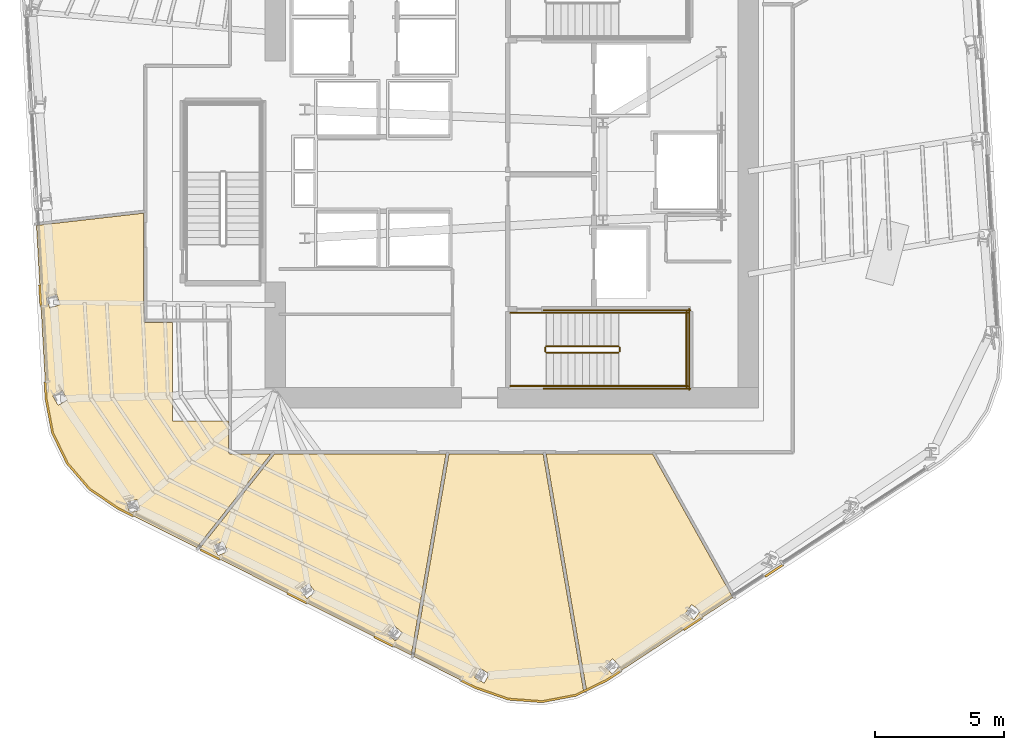
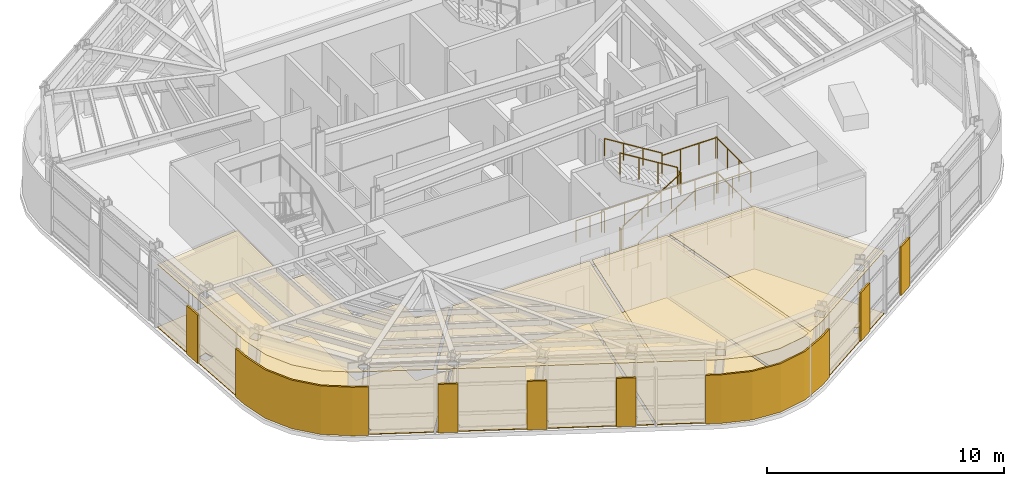
# One storey, part 10 of 15: 16 coverings, 14 railings.
"""IFC4 building model written with IfcOpenShell, lengths in metres."""

import ifcopenshell
import ifcopenshell.guid

model = None  # the IFC model being written
_history = None  # IfcOwnerHistory: only IFC2X3 demands one
_inside = {}  # id of a spatial element -> (the spatial element, [elements in it])
_under = {}  # id of a project, library or spatial element -> (it, [spatial elements below it])
_declared = {}  # id of a project -> (the project, [libraries it declares])
_typed = {}  # id of a type object -> (the type object, [elements of that type])
_made_of = {}  # id of a material, layer set ... -> (it, [elements and type objects made of it])


def new_model(schema):
    """Start an empty IFC model of exactly this schema.

    Asked for "IFC4X3", IfcOpenShell would pick the latest addendum, in which some entities
    have other attributes; the version numbers below select the first issue.
    IFC2X3 requires an IfcOwnerHistory on every rooted entity: one is made here for all.
    """
    global model, _history
    if schema == "IFC4X3":
        model = ifcopenshell.file(schema_version=(4, 3, 0, 0))
    else:
        model = ifcopenshell.file(schema=schema)
    _inside.clear()
    _under.clear()
    _declared.clear()
    _typed.clear()
    _made_of.clear()
    _history = None
    if model.schema == "IFC2X3":
        org = make("IfcOrganization", Name="unknown")
        user = make(
            "IfcPersonAndOrganization",
            ThePerson=make("IfcPerson", FamilyName="unknown"),
            TheOrganization=org,
        )
        app = make(
            "IfcApplication",
            ApplicationDeveloper=org,
            Version="unknown",
            ApplicationFullName="unknown",
            ApplicationIdentifier="unknown",
        )
        _history = make(
            "IfcOwnerHistory",
            OwningUser=user,
            OwningApplication=app,
            ChangeAction="ADDED",
            CreationDate=0,
        )
    return model


def make(cls, **values):
    """One entity of the class cls with the attributes given. An attribute that is None is left unset."""
    return model.create_entity(
        cls, **{name: value for name, value in values.items() if value is not None}
    )


def rooted(cls, **values):
    """An entity with a GlobalId (a new one), such as an element, a storey or a relation."""
    return make(cls, GlobalId=ifcopenshell.guid.new(), OwnerHistory=_history, **values)


def si_unit(unit_type, name, prefix=None):
    """IfcSIUnit, for example si_unit("LENGTHUNIT", "METRE", prefix="MILLI")."""
    return make("IfcSIUnit", UnitType=unit_type, Prefix=prefix, Name=name)


def assignment(units):
    """IfcUnitAssignment: the units of a project."""
    return None if units is None else make("IfcUnitAssignment", Units=units)


def point(xyz):
    """IfcCartesianPoint."""
    return None if xyz is None else make("IfcCartesianPoint", Coordinates=xyz)


def direction(xyz):
    """IfcDirection."""
    return None if xyz is None else make("IfcDirection", DirectionRatios=xyz)


def frame(location, z_axis=None, x_axis=None):
    """IfcAxis2Placement3D, a coordinate frame: its origin and axes. An axis left out is left unset."""
    return make(
        "IfcAxis2Placement3D",
        Location=point(location),
        Axis=direction(z_axis),
        RefDirection=direction(x_axis),
    )


def frame_2d(location, x_axis=None):
    """IfcAxis2Placement2D, a coordinate frame in the plane: its origin and x axis."""
    return make(
        "IfcAxis2Placement2D", Location=point(location), RefDirection=direction(x_axis)
    )


def origin():
    """The frame at (0, 0, 0) with its axes left unset."""
    return frame((0.0, 0.0, 0.0))


def origin_2d():
    """The frame at (0, 0) in the plane with its x axis left unset."""
    return frame_2d((0.0, 0.0))


def place(relative_to, where):
    """IfcLocalPlacement: puts the frame where relative to a parent placement (None: the world)."""
    return make(
        "IfcLocalPlacement", PlacementRelTo=relative_to, RelativePlacement=where
    )


def context(
    kind, dimensions, precision=None, world=None, true_north=None, identifier=None
):
    """IfcGeometricRepresentationContext, for example the 3D "Model" context."""
    return make(
        "IfcGeometricRepresentationContext",
        ContextIdentifier=identifier,
        ContextType=kind,
        CoordinateSpaceDimension=dimensions,
        Precision=precision,
        WorldCoordinateSystem=world,
        TrueNorth=true_north,
    )


def subcontext(parent, identifier, kind, view, scale=None):
    """IfcGeometricRepresentationSubContext, for example "Body" below "Model"."""
    return make(
        "IfcGeometricRepresentationSubContext",
        ContextIdentifier=identifier,
        ContextType=kind,
        ParentContext=parent,
        TargetScale=scale,
        TargetView=view,
    )


def project(units=None, contexts=None):
    """IfcProject with its units and contexts."""
    return rooted(
        "IfcProject",
        Name="project",
        RepresentationContexts=contexts,
        UnitsInContext=assignment(units),
    )


def spatial(cls, under=None, at=None, **own):
    """A site, building, storey or space (cls), placed at a placement, below another one or the project."""
    s = rooted(cls, ObjectPlacement=at, **own)
    if under is not None:
        _under.setdefault(under.id(), (under, []))[1].append(s)
    return s


def polyline(points):
    """IfcPolyline through the points."""
    return make("IfcPolyline", Points=[point(p) for p in points])


def profile(cls, at=None, kind="AREA", **sizes):
    """A parametric profile (cls). Its sizes go by their IFC names, for example OverallWidth=200.0."""
    return make(cls, ProfileType=kind, Position=at, **sizes)


def circle(**sizes):
    """IfcCircleProfileDef."""
    return profile("IfcCircleProfileDef", **sizes)


def outline(outer, holes=None, kind="AREA"):
    """IfcArbitraryClosedProfileDef: a profile drawn as a closed curve; with holes, ...WithVoids."""
    if holes is None:
        return make("IfcArbitraryClosedProfileDef", ProfileType=kind, OuterCurve=outer)
    return make(
        "IfcArbitraryProfileDefWithVoids",
        ProfileType=kind,
        OuterCurve=outer,
        InnerCurves=holes,
    )


def extrude(swept, where, along, depth):
    """IfcExtrudedAreaSolid: the profile swept, set in the frame where, extruded along a direction by depth."""
    return make(
        "IfcExtrudedAreaSolid",
        SweptArea=swept,
        Position=where,
        ExtrudedDirection=direction(along),
        Depth=depth,
    )


def shape(context_of_items, identifier, shape_type, items):
    """IfcShapeRepresentation: the items that make up one representation, for example the "Body"."""
    return make(
        "IfcShapeRepresentation",
        ContextOfItems=context_of_items,
        RepresentationIdentifier=identifier,
        RepresentationType=shape_type,
        Items=items,
    )


def material(Name=None, Category=None):
    """IfcMaterial."""
    return make("IfcMaterial", Name=Name, Category=Category)


def layer(
    of_material, thickness, ventilated=None, Name=None, Category=None, Priority=None
):
    """IfcMaterialLayer: one layer of a wall or slab, of a material (None: an air gap)."""
    return make(
        "IfcMaterialLayer",
        Material=of_material,
        LayerThickness=thickness,
        IsVentilated=ventilated,
        Name=Name,
        Category=Category,
        Priority=Priority,
    )


def layer_set(layers, Name=None):
    """IfcMaterialLayerSet."""
    return make("IfcMaterialLayerSet", MaterialLayers=layers, LayerSetName=Name)


def made_of(thing, what):
    """Note that an element or type object is made of a material, layer set ...; save() writes the relation."""
    if what is not None:
        _made_of.setdefault(what.id(), (what, []))[1].append(thing)
    return thing


def type_object(cls, material=None, **own):
    """A type object (cls), such as IfcWallType, which elements share."""
    return made_of(rooted(cls, **own), material)


def element(
    cls,
    number,
    at=None,
    inside=None,
    cuts=None,
    type_object=None,
    material=None,
    context=None,
    identifier="Body",
    shape_type=None,
    held_by="IfcProductDefinitionShape",
    body=None,
    shapes=None,
    **own,
):
    """One element of the class cls, such as IfcWall. Its Tag is "e" and its number.

    at: its placement. inside: the storey or other place that contains it. cuts: it is an
    opening in that element (IfcRelVoidsElement). A single representation is given by context,
    identifier, shape_type and body (its items); several are given by shapes. held_by: the class
    of the entity that holds the representations. save() writes the other relations.
    """
    e = rooted(cls, Tag="e%d" % number, ObjectPlacement=at, **own)
    if body is not None:
        shapes = [shape(context, identifier, shape_type, body)]
    if shapes is not None:
        e.Representation = make(held_by, Representations=shapes)
    if inside is not None:
        _inside.setdefault(inside.id(), (inside, []))[1].append(e)
    if cuts is not None:
        rooted(
            "IfcRelVoidsElement", RelatingBuildingElement=cuts, RelatedOpeningElement=e
        )
    if type_object is not None:
        _typed.setdefault(type_object.id(), (type_object, []))[1].append(e)
    return made_of(e, material)


def aggregate(whole, parts):
    """IfcRelAggregates: a whole, such as a stair, and the parts it consists of."""
    return rooted("IfcRelAggregates", RelatingObject=whole, RelatedObjects=parts)


def save(model, path):
    """Write the relations noted so far, then the file.

    IfcRelAggregates (storeys below a building ...), IfcRelContainedInSpatialStructure (elements
    in a storey), IfcRelDefinesByType, IfcRelAssociatesMaterial and IfcRelDeclares: one each for
    every whole, place, type object, material and project.
    """
    for whole, parts in _under.values():
        aggregate(whole, parts)
    for where, things in _inside.values():
        rooted(
            "IfcRelContainedInSpatialStructure",
            RelatedElements=things,
            RelatingStructure=where,
        )
    for kind, things in _typed.values():
        rooted("IfcRelDefinesByType", RelatedObjects=things, RelatingType=kind)
    for what, things in _made_of.values():
        rooted("IfcRelAssociatesMaterial", RelatedObjects=things, RelatingMaterial=what)
    for by, libraries in _declared.values():
        rooted("IfcRelDeclares", RelatingContext=by, RelatedDefinitions=libraries)
    model.write(path)


model = new_model("IFC4")

# Units and contexts
model_context = context("Model", 3, precision=1e-05, world=origin(), true_north=direction((0.0, 1.0)))
body_context = subcontext(model_context, "Body", "Model", "MODEL_VIEW")
ifc_project = project(units=[si_unit("LENGTHUNIT", "METRE"), si_unit("AREAUNIT", "SQUARE_METRE"), si_unit("VOLUMEUNIT", "CUBIC_METRE"), si_unit("PLANEANGLEUNIT", "RADIAN"), si_unit("MASSUNIT", "GRAM", prefix="KILO")], contexts=[model_context])

# Site, building, storey
site_placement = place(None, origin())
site = spatial("IfcSite", under=ifc_project, at=site_placement, CompositionType="ELEMENT")
building_placement = place(site_placement, origin())
building = spatial("IfcBuilding", under=site, at=building_placement, Name="Valkerne Bourse Tower", CompositionType="ELEMENT")
storey_placement = place(building_placement, frame((0.0, 0.0, 166.60009765625)))
storey = spatial("IfcBuildingStorey", under=building, at=storey_placement, Name="L42", CompositionType="ELEMENT", Elevation=166.60009765625)

# Coverings
ifc_material_1 = material(Name="Mineral Fiber Acoustic Ceiling Tile", Category="acoustic")
ifc_layer_1 = layer(ifc_material_1, 0.02490234375)
ifc_layer_set_1 = layer_set([ifc_layer_1], Name="Mineral Fiber Acoustic Ceiling Tile")
covering_type_1 = type_object("IfcCoveringType", Name="COV-CEIL-ACT", PredefinedType="CEILING", material=ifc_layer_set_1)
covering_1_placement = place(storey_placement, frame((0.0, 0.0, 3.22998046875)))
element("IfcCovering", 1, at=covering_1_placement, inside=storey, type_object=covering_type_1, Name="L42 Suspended Ceiling 04", PredefinedType="CEILING", context=body_context, shape_type="SweptSolid", body=[
    extrude(outline(polyline([(48.13818359375, 16.010986328125), (52.27392578125, 16.010986328125), (55.394287109375, 10.427734375), (50.481689453125, 7.209716796875), (49.706787109375, 6.835205078125), (48.13818359375, 16.010986328125)]), holes=[polyline([(51.013427734375, 7.747314453125), (50.7236328125, 8.04296875), (50.720947265625, 8.04248046875), (50.419189453125, 7.7451171875), (50.708740234375, 7.449462890625), (50.711669921875, 7.449951171875), (51.013427734375, 7.747314453125)]), polyline([(54.131591796875, 9.91552734375), (53.79150390625, 10.151611328125), (53.7890625, 10.150634765625), (53.54833984375, 9.802001953125), (53.888427734375, 9.56591796875), (53.890869140625, 9.56689453125), (54.131591796875, 9.91552734375)])]), origin(), (0.0, 0.0, 1.0), 0.02490234375),
])
covering_2_placement = place(storey_placement, frame((0.0, 0.0, 3.22998046875)))
element("IfcCovering", 2, at=covering_2_placement, inside=storey, type_object=covering_type_1, Name="L42 Suspended Ceiling 05", PredefinedType="CEILING", context=body_context, shape_type="SweptSolid", body=[
    extrude(outline(polyline([(44.241943359375, 16.010986328125), (42.89013671875, 8.184814453125), (34.654296875, 12.313720703125), (37.579833984375, 16.010986328125), (44.241943359375, 16.010986328125)]), holes=[polyline([(35.572998046875, 12.612060546875), (35.57080078125, 12.61376953125), (35.196533203125, 12.436279296875), (35.377197265625, 12.052978515625), (35.37939453125, 12.051513671875), (35.753662109375, 12.22900390625), (35.572998046875, 12.612060546875)]), polyline([(42.236083984375, 9.330078125), (42.2333984375, 9.330810546875), (41.9609375, 9.018798828125), (42.279296875, 8.7392578125), (42.281982421875, 8.73876953125), (42.554443359375, 9.050537109375), (42.236083984375, 9.330078125)]), polyline([(39.16015625, 10.638671875), (38.905517578125, 10.977294921875), (38.903076171875, 10.978271484375), (38.57275390625, 10.728515625), (38.827392578125, 10.389892578125), (38.829833984375, 10.388916015625), (39.16015625, 10.638671875)])]), origin(), (0.0, 0.0, 1.0), 0.02490234375),
])
covering_3_placement = place(storey_placement, frame((0.0, 0.0, 3.22998046875)))
element("IfcCovering", 3, at=covering_3_placement, inside=storey, type_object=covering_type_1, Name="L42 Suspended Ceiling 06", PredefinedType="CEILING", context=body_context, shape_type="SweptSolid", body=[
    extrude(outline(polyline([(46.672607421875, 6.48046875), (45.41748046875, 6.917724609375), (43.00048828125, 8.12939453125), (44.36181640625, 16.010986328125), (48.0185546875, 16.010986328125), (49.59619140625, 6.781494140625), (49.284912109375, 6.631103515625), (47.98876953125, 6.3837890625), (46.672607421875, 6.48046875)]), holes=[polyline([(45.9375, 7.45703125), (45.572509765625, 7.671630859375), (45.569580078125, 7.671875), (45.360595703125, 7.314208984375), (45.7255859375, 7.099609375), (45.728515625, 7.099609375), (45.9375, 7.45703125)])]), origin(), (0.0, 0.0, 1.0), 0.02490234375),
])
covering_4_placement = place(storey_placement, frame((0.0, 0.0, 3.22998046875)))
element("IfcCovering", 4, at=covering_4_placement, inside=storey, type_object=covering_type_1, Name="L42 Suspended Ceiling 07", PredefinedType="CEILING", context=body_context, shape_type="SweptSolid", body=[
    extrude(outline(polyline([(29.520751953125, 15.649658203125), (28.946533203125, 16.837646484375), (28.697509765625, 18.143310546875), (28.316650390625, 24.89892578125), (32.48095703125, 25.37451171875), (32.48095703125, 21.199462890625), (32.48779296875, 21.169921875), (32.513916015625, 21.14111328125), (32.54931640625, 21.131103515625), (33.60009765625, 21.131103515625), (33.60009765625, 17.300048828125), (35.78369140625, 17.300048828125), (35.78466796875, 16.05712890625), (35.80908203125, 16.024169921875), (35.8466796875, 16.010986328125), (37.429443359375, 16.010986328125), (34.54638671875, 12.36767578125), (31.482421875, 13.90380859375), (30.383056640625, 14.65087890625), (29.520751953125, 15.649658203125)]), holes=[polyline([(32.232421875, 14.237548828125), (32.230712890625, 14.23974609375), (31.829833984375, 14.135498046875), (31.93505859375, 13.7255859375), (31.93701171875, 13.723388671875), (32.337890625, 13.827392578125), (32.232421875, 14.237548828125)]), polyline([(29.525390625, 18.11376953125), (29.524169921875, 18.116455078125), (29.31982421875, 18.475341796875), (28.95068359375, 18.265380859375), (28.951904296875, 18.262939453125), (29.15625, 17.90380859375), (29.525390625, 18.11376953125)]), polyline([(29.23828125, 21.822509765625), (29.237548828125, 21.8251953125), (29.1044921875, 22.21630859375), (28.702392578125, 22.07958984375), (28.703125, 22.076904296875), (28.83642578125, 21.685791015625), (29.23828125, 21.822509765625)])]), origin(), (0.0, 0.0, 1.0), 0.02490234375),
])
ifc_material_2 = material(Name="Bronze Anodised Aluminium AA 6063-T6", Category="aluminium")
ifc_layer_2 = layer(ifc_material_2, 0.06005859375)
ifc_layer_set_2 = layer_set([ifc_layer_2], Name="Bronze Anodised Aluminium AA 6063-T6")
covering_type_2 = type_object("IfcCoveringType", Name="COV-CRN-ALUM", PredefinedType="CLADDING", material=ifc_layer_set_2)
covering_5_placement = place(storey_placement, origin())
element("IfcCovering", 5, at=covering_5_placement, inside=storey, type_object=covering_type_2, Name="L42 Wind-Shaped Corner Aluminium Cladding 03", PredefinedType="CLADDING", context=body_context, shape_type="SweptSolid", body=[
    extrude(outline(polyline([(56.66943359375, 11.210205078125), (56.62548828125, 11.277099609375), (57.328125, 11.7373046875), (57.3720703125, 11.67041015625), (56.66943359375, 11.210205078125)])), origin(), (0.0, 0.0, 1.0), 2.5),
])
covering_6_placement = place(storey_placement, origin())
element("IfcCovering", 6, at=covering_6_placement, inside=storey, type_object=covering_type_2, Name="L42 Wind-Shaped Corner Aluminium Cladding 04", PredefinedType="CLADDING", context=body_context, shape_type="SweptSolid", body=[
    extrude(outline(polyline([(53.514892578125, 9.14404296875), (53.470947265625, 9.210693359375), (54.173583984375, 9.671142578125), (54.217529296875, 9.604248046875), (53.514892578125, 9.14404296875)])), origin(), (0.0, 0.0, 1.0), 2.5),
])
covering_7_placement = place(storey_placement, origin())
element("IfcCovering", 7, at=covering_7_placement, inside=storey, type_object=covering_type_2, Name="L42 Wind-Shaped Corner Aluminium Cladding 05", PredefinedType="CLADDING", context=body_context, shape_type="SweptSolid", body=[
    extrude(outline(polyline([(50.50341796875, 7.17138671875), (49.298828125, 6.589111328125), (47.9912109375, 6.339599609375), (46.663818359375, 6.43701171875), (45.400390625, 6.877197265625), (44.802001953125, 7.177001953125), (44.837890625, 7.24853515625), (45.431396484375, 6.950927734375), (46.679931640625, 6.51611328125), (47.986572265625, 6.420166015625), (49.2734375, 6.665771484375), (50.4638671875, 7.2412109375), (51.01904296875, 7.604736328125), (51.06298828125, 7.537841796875), (50.50341796875, 7.17138671875)])), origin(), (0.0, 0.0, 1.0), 2.5),
])
covering_8_placement = place(storey_placement, origin())
element("IfcCovering", 8, at=covering_8_placement, inside=storey, type_object=covering_type_2, Name="L42 Wind-Shaped Corner Aluminium Cladding 06", PredefinedType="CLADDING", context=body_context, shape_type="SweptSolid", body=[
    extrude(outline(polyline([(41.430908203125, 8.866943359375), (41.466796875, 8.9384765625), (42.218017578125, 8.56201171875), (42.181884765625, 8.490478515625), (41.430908203125, 8.866943359375)])), origin(), (0.0, 0.0, 1.0), 2.5),
])
covering_9_placement = place(storey_placement, origin())
element("IfcCovering", 9, at=covering_9_placement, inside=storey, type_object=covering_type_2, Name="L42 Wind-Shaped Corner Aluminium Cladding 07", PredefinedType="CLADDING", context=body_context, shape_type="SweptSolid", body=[
    extrude(outline(polyline([(38.059814453125, 10.55712890625), (38.095703125, 10.62841796875), (38.8466796875, 10.252197265625), (38.810791015625, 10.1806640625), (38.059814453125, 10.55712890625)])), origin(), (0.0, 0.0, 1.0), 2.5),
])
covering_10_placement = place(storey_placement, origin())
element("IfcCovering", 10, at=covering_10_placement, inside=storey, type_object=covering_type_2, Name="L42 Wind-Shaped Corner Aluminium Cladding 08", PredefinedType="CLADDING", context=body_context, shape_type="SweptSolid", body=[
    extrude(outline(polyline([(34.688720703125, 12.2470703125), (34.724853515625, 12.318603515625), (35.475830078125, 11.942138671875), (35.439697265625, 11.87060546875), (34.688720703125, 12.2470703125)])), origin(), (0.0, 0.0, 1.0), 2.5),
])
covering_11_placement = place(storey_placement, origin())
element("IfcCovering", 11, at=covering_11_placement, inside=storey, type_object=covering_type_2, Name="L42 Wind-Shaped Corner Aluminium Cladding 09", PredefinedType="CLADDING", context=body_context, shape_type="SweptSolid", body=[
    extrude(outline(polyline([(31.4599609375, 13.86572265625), (30.353515625, 14.61767578125), (29.483642578125, 15.62548828125), (28.904296875, 16.82373046875), (28.65380859375, 18.1376953125), (28.615478515625, 18.817626953125), (28.6953125, 18.822265625), (28.7333984375, 18.147705078125), (28.98095703125, 16.84912109375), (29.551025390625, 15.669677734375), (30.4072265625, 14.677978515625), (31.50048828125, 13.93505859375), (32.1044921875, 13.632080078125), (32.068603515625, 13.560791015625), (31.4599609375, 13.86572265625)])), origin(), (0.0, 0.0, 1.0), 2.5),
])
covering_12_placement = place(storey_placement, origin())
element("IfcCovering", 12, at=covering_12_placement, inside=storey, type_object=covering_type_2, Name="L42 Wind-Shaped Corner Aluminium Cladding 10", PredefinedType="CLADDING", context=body_context, shape_type="SweptSolid", body=[
    extrude(outline(polyline([(28.4033203125, 22.582763671875), (28.483154296875, 22.58740234375), (28.530517578125, 21.74853515625), (28.450439453125, 21.743896484375), (28.4033203125, 22.582763671875)])), origin(), (0.0, 0.0, 1.0), 2.5),
])
ifc_material_3 = material(Name="Polished Granite Stone", Category="masonry")
ifc_layer_3 = layer(ifc_material_3, 0.030029296875)
ifc_layer_set_3 = layer_set([ifc_layer_3], Name="Polished Granite Stone")
covering_type_3 = type_object("IfcCoveringType", Name="COV-FLR-TERRAZZO", PredefinedType="FLOORING", material=ifc_layer_set_3)
covering_13_placement = place(storey_placement, origin())
element("IfcCovering", 13, at=covering_13_placement, inside=storey, type_object=covering_type_3, Name="L42 Floor Finish 04", PredefinedType="FLOORING", context=body_context, shape_type="SweptSolid", body=[
    extrude(outline(polyline([(48.13818359375, 16.010986328125), (52.27392578125, 16.010986328125), (55.394287109375, 10.427734375), (50.481689453125, 7.209716796875), (49.706787109375, 6.835205078125), (48.13818359375, 16.010986328125)]), holes=[polyline([(51.013427734375, 7.747314453125), (50.7236328125, 8.04296875), (50.720947265625, 8.04248046875), (50.419189453125, 7.7451171875), (50.708740234375, 7.449462890625), (50.711669921875, 7.449951171875), (51.013427734375, 7.747314453125)]), polyline([(54.131591796875, 9.91552734375), (53.79150390625, 10.151611328125), (53.7890625, 10.150634765625), (53.54833984375, 9.802001953125), (53.888427734375, 9.56591796875), (53.890869140625, 9.56689453125), (54.131591796875, 9.91552734375)])]), origin(), (0.0, 0.0, 1.0), 0.02978515625),
])
covering_14_placement = place(storey_placement, origin())
element("IfcCovering", 14, at=covering_14_placement, inside=storey, type_object=covering_type_3, Name="L42 Floor Finish 05", PredefinedType="FLOORING", context=body_context, shape_type="SweptSolid", body=[
    extrude(outline(polyline([(44.241943359375, 16.010986328125), (42.89013671875, 8.184814453125), (34.654296875, 12.313720703125), (37.579833984375, 16.010986328125), (44.241943359375, 16.010986328125)]), holes=[polyline([(35.572998046875, 12.612060546875), (35.57080078125, 12.61376953125), (35.196533203125, 12.436279296875), (35.377197265625, 12.052978515625), (35.37939453125, 12.051513671875), (35.753662109375, 12.22900390625), (35.572998046875, 12.612060546875)]), polyline([(42.236083984375, 9.330078125), (42.2333984375, 9.330810546875), (41.9609375, 9.018798828125), (42.279296875, 8.7392578125), (42.281982421875, 8.73876953125), (42.554443359375, 9.050537109375), (42.236083984375, 9.330078125)]), polyline([(39.16015625, 10.638671875), (38.905517578125, 10.977294921875), (38.903076171875, 10.978271484375), (38.57275390625, 10.728515625), (38.827392578125, 10.389892578125), (38.829833984375, 10.388916015625), (39.16015625, 10.638671875)])]), origin(), (0.0, 0.0, 1.0), 0.02978515625),
])
covering_15_placement = place(storey_placement, origin())
element("IfcCovering", 15, at=covering_15_placement, inside=storey, type_object=covering_type_3, Name="L42 Floor Finish 06", PredefinedType="FLOORING", context=body_context, shape_type="SweptSolid", body=[
    extrude(outline(polyline([(46.672607421875, 6.48046875), (45.41748046875, 6.917724609375), (43.00048828125, 8.12939453125), (44.36181640625, 16.010986328125), (48.0185546875, 16.010986328125), (49.59619140625, 6.781494140625), (49.284912109375, 6.631103515625), (47.98876953125, 6.3837890625), (46.672607421875, 6.48046875)]), holes=[polyline([(45.9375, 7.45703125), (45.572509765625, 7.671630859375), (45.569580078125, 7.671875), (45.360595703125, 7.314208984375), (45.7255859375, 7.099609375), (45.728515625, 7.099609375), (45.9375, 7.45703125)])]), origin(), (0.0, 0.0, 1.0), 0.02978515625),
])
covering_16_placement = place(storey_placement, origin())
element("IfcCovering", 16, at=covering_16_placement, inside=storey, type_object=covering_type_3, Name="L42 Floor Finish 07", PredefinedType="FLOORING", context=body_context, shape_type="SweptSolid", body=[
    extrude(outline(polyline([(29.520751953125, 15.649658203125), (28.946533203125, 16.837646484375), (28.697509765625, 18.143310546875), (28.316650390625, 24.89892578125), (32.48095703125, 25.37451171875), (32.48095703125, 21.199462890625), (32.48779296875, 21.169921875), (32.513916015625, 21.14111328125), (32.54931640625, 21.131103515625), (33.60009765625, 21.131103515625), (33.60009765625, 17.300048828125), (35.78369140625, 17.300048828125), (35.78466796875, 16.05712890625), (35.80908203125, 16.024169921875), (35.8466796875, 16.010986328125), (37.429443359375, 16.010986328125), (34.54638671875, 12.36767578125), (31.482421875, 13.90380859375), (30.383056640625, 14.65087890625), (29.520751953125, 15.649658203125)]), holes=[polyline([(32.232421875, 14.237548828125), (32.230712890625, 14.23974609375), (31.829833984375, 14.135498046875), (31.93505859375, 13.7255859375), (31.93701171875, 13.723388671875), (32.337890625, 13.827392578125), (32.232421875, 14.237548828125)]), polyline([(29.525390625, 18.11376953125), (29.524169921875, 18.116455078125), (29.31982421875, 18.475341796875), (28.95068359375, 18.265380859375), (28.951904296875, 18.262939453125), (29.15625, 17.90380859375), (29.525390625, 18.11376953125)]), polyline([(29.23828125, 21.822509765625), (29.237548828125, 21.8251953125), (29.1044921875, 22.21630859375), (28.702392578125, 22.07958984375), (28.703125, 22.076904296875), (28.83642578125, 21.685791015625), (29.23828125, 21.822509765625)])]), origin(), (0.0, 0.0, 1.0), 0.02978515625),
])

# Railings
ifc_material_4 = material(Name="Galvanised Painted Steel", Category="steel")
railing_type_1 = type_object("IfcRailingType", Name="RLG-ST-GUARD-1120", PredefinedType="GUARDRAIL", material=ifc_material_4)
railing_1_placement = place(storey_placement, frame((48.14990234375, 19.949951171875, 0.172607421875)))
element("IfcRailing", 17, at=railing_1_placement, inside=storey, type_object=railing_type_1, Name="L42 ST-1 stair guard 1", PredefinedType="GUARDRAIL", context=body_context, shape_type="SweptSolid", body=[
    extrude(circle(Radius=0.02392578125, at=origin_2d()), frame((0.0, 0.0, 1.09619140625), z_axis=(0.851089632645, 0.0, 0.525020415988), x_axis=(0.0, 1.0, 0.0)), (0.0, 0.0, 1.0), 3.2900390625),
    extrude(circle(Radius=0.02099609375, at=origin_2d()), origin(), (0.0, 0.0, 1.0), 1.072021484375),
    extrude(circle(Radius=0.02099609375, at=origin_2d()), frame((0.933349609375, 0.0, 0.57568359375)), (0.0, 0.0, 1.0), 1.072021484375),
    extrude(circle(Radius=0.02099609375, at=origin_2d()), frame((1.86669921875, 0.0, 1.151611328125)), (0.0, 0.0, 1.0), 1.072021484375),
    extrude(circle(Radius=0.02099609375, at=origin_2d()), frame((2.800048828125, 0.0, 1.727294921875)), (0.0, 0.0, 1.0), 1.072021484375),
])
railing_2_placement = place(storey_placement, frame((51.0, 20.0, 1.89990234375)))
element("IfcRailing", 18, at=railing_2_placement, inside=storey, type_object=railing_type_1, Name="L42 ST-1 stair guard 2", PredefinedType="GUARDRAIL", context=body_context, shape_type="SweptSolid", body=[
    extrude(circle(Radius=0.02392578125, at=origin_2d()), frame((0.0, 0.0, 1.09619140625), z_axis=(0.0, 1.0, 0.0), x_axis=(-1.0, 0.0, 0.0)), (0.0, 0.0, 1.0), 0.14990234375),
    extrude(circle(Radius=0.02099609375, at=origin_2d()), origin(), (0.0, 0.0, 1.0), 1.072021484375),
    extrude(circle(Radius=0.02099609375, at=origin_2d()), frame((0.0, 0.14990234375, 0.0)), (0.0, 0.0, 1.0), 1.072021484375),
])
for number, where, name in (
    (19, (50.949951171875, 18.64990234375, 1.89990234375), "L42 ST-1 stair guard 3"),
    (20, (50.949951171875, 21.5, 1.89990234375), "L42 ST-1 stair guard 4"),
):
    element("IfcRailing", number, at=place(storey_placement, frame(where)), inside=storey, type_object=railing_type_1, Name=name, PredefinedType="GUARDRAIL", context=body_context, shape_type="SweptSolid", body=[
        extrude(circle(Radius=0.02392578125, at=origin_2d()), frame((0.0, 0.0, 1.09619140625), z_axis=(1.0, 0.0, 0.0), x_axis=(0.0, 1.0, 0.0)), (0.0, 0.0, 1.0), 2.699951171875),
        extrude(circle(Radius=0.02099609375, at=origin_2d()), origin(), (0.0, 0.0, 1.0), 1.072021484375),
        extrude(circle(Radius=0.02099609375, at=origin_2d()), frame((0.89990234375, 0.0, 0.0)), (0.0, 0.0, 1.0), 1.072021484375),
        extrude(circle(Radius=0.02099609375, at=origin_2d()), frame((1.800048828125, 0.0, 0.0)), (0.0, 0.0, 1.0), 1.072021484375),
        extrude(circle(Radius=0.02099609375, at=origin_2d()), frame((2.699951171875, 0.0, 0.0)), (0.0, 0.0, 1.0), 1.072021484375),
    ])
railing_3_placement = place(storey_placement, frame((53.60009765625, 18.60009765625, 1.89990234375)))
element("IfcRailing", 21, at=railing_3_placement, inside=storey, type_object=railing_type_1, Name="L42 ST-1 stair guard 5", PredefinedType="GUARDRAIL", context=body_context, shape_type="SweptSolid", body=[
    extrude(circle(Radius=0.02392578125, at=origin_2d()), frame((0.0, 0.0, 1.09619140625), z_axis=(0.0, 1.0, 0.0), x_axis=(-1.0, 0.0, 0.0)), (0.0, 0.0, 1.0), 2.949951171875),
    extrude(circle(Radius=0.02099609375, at=origin_2d()), origin(), (0.0, 0.0, 1.0), 1.072021484375),
    extrude(circle(Radius=0.02099609375, at=origin_2d()), frame((0.0, 0.9833984375, 0.0)), (0.0, 0.0, 1.0), 1.072021484375),
    extrude(circle(Radius=0.02099609375, at=origin_2d()), frame((0.0, 1.966552734375, 0.0)), (0.0, 0.0, 1.0), 1.072021484375),
    extrude(circle(Radius=0.02099609375, at=origin_2d()), frame((0.0, 2.949951171875, 0.0)), (0.0, 0.0, 1.0), 1.072021484375),
])
railing_4_placement = place(storey_placement, frame((50.949951171875, 20.199951171875, 2.072509765625)))
element("IfcRailing", 22, at=railing_4_placement, inside=storey, type_object=railing_type_1, Name="L42 ST-1 stair guard 6", PredefinedType="GUARDRAIL", context=body_context, shape_type="SweptSolid", body=[
    extrude(circle(Radius=0.02392578125, at=origin_2d()), frame((0.0, 0.0, 1.09619140625), z_axis=(-0.851089632645, 0.0, 0.525020415988), x_axis=(0.0, -1.0, 0.0)), (0.0, 0.0, 1.0), 3.2900390625),
    extrude(circle(Radius=0.02099609375, at=origin_2d()), origin(), (0.0, 0.0, 1.0), 1.072021484375),
    extrude(circle(Radius=0.02099609375, at=origin_2d()), frame((-0.933349609375, 0.0, 0.57568359375)), (0.0, 0.0, 1.0), 1.072021484375),
    extrude(circle(Radius=0.02099609375, at=origin_2d()), frame((-1.86669921875, 0.0, 1.151611328125)), (0.0, 0.0, 1.0), 1.072021484375),
    extrude(circle(Radius=0.02099609375, at=origin_2d()), frame((-2.800048828125, 0.0, 1.727294921875)), (0.0, 0.0, 1.0), 1.072021484375),
])
railing_5_placement = place(storey_placement, frame((48.10009765625, 20.0, 0.0)))
element("IfcRailing", 23, at=railing_5_placement, inside=storey, type_object=railing_type_1, Name="L42 ST-1 stair guard 7", PredefinedType="GUARDRAIL", context=body_context, shape_type="SweptSolid", body=[
    extrude(circle(Radius=0.02392578125, at=origin_2d()), frame((0.0, 0.0, 1.09619140625), z_axis=(0.0, 1.0, 0.0), x_axis=(-1.0, 0.0, 0.0)), (0.0, 0.0, 1.0), 0.14990234375),
    extrude(circle(Radius=0.02099609375, at=origin_2d()), origin(), (0.0, 0.0, 1.0), 1.072021484375),
    extrude(circle(Radius=0.02099609375, at=origin_2d()), frame((0.0, 0.14990234375, 0.0)), (0.0, 0.0, 1.0), 1.072021484375),
])
for number, where, name in (
    (24, (46.75, 18.64990234375, 0.0), "L42 ST-1 stair guard 8"),
    (25, (46.75, 21.5, 0.0), "L42 ST-1 stair guard 9"),
):
    element("IfcRailing", number, at=place(storey_placement, frame(where)), inside=storey, type_object=railing_type_1, Name=name, PredefinedType="GUARDRAIL", context=body_context, shape_type="SweptSolid", body=[
        extrude(circle(Radius=0.02392578125, at=origin_2d()), frame((0.0, 0.0, 1.09619140625), z_axis=(1.0, 0.0, 0.0), x_axis=(0.0, 1.0, 0.0)), (0.0, 0.0, 1.0), 1.39990234375),
        extrude(circle(Radius=0.02099609375, at=origin_2d()), origin(), (0.0, 0.0, 1.0), 1.072021484375),
        extrude(circle(Radius=0.02099609375, at=origin_2d()), frame((0.699951171875, 0.0, 0.0)), (0.0, 0.0, 1.0), 1.072021484375),
        extrude(circle(Radius=0.02099609375, at=origin_2d()), frame((1.39990234375, 0.0, 0.0)), (0.0, 0.0, 1.0), 1.072021484375),
    ])
for number, where, name in (
    (26, (48.050048828125, 18.550048828125, 0.0), "L42 ST-1 stair guard 10"),
    (27, (48.050048828125, 21.60009765625, 0.0), "L42 ST-1 stair guard 11"),
):
    element("IfcRailing", number, at=place(storey_placement, frame(where)), inside=storey, type_object=railing_type_1, Name=name, PredefinedType="GUARDRAIL", context=body_context, shape_type="SweptSolid", body=[
        extrude(circle(Radius=0.02392578125, at=origin_2d()), frame((0.0, 0.0, 1.09619140625), z_axis=(1.0, 0.0, 0.0), x_axis=(0.0, 1.0, 0.0)), (0.0, 0.0, 1.0), 5.699951171875),
        extrude(circle(Radius=0.02099609375, at=origin_2d()), origin(), (0.0, 0.0, 1.0), 1.072021484375),
        extrude(circle(Radius=0.02099609375, at=origin_2d()), frame((1.139892578125, 0.0, 0.0)), (0.0, 0.0, 1.0), 1.072021484375),
        extrude(circle(Radius=0.02099609375, at=origin_2d()), frame((2.280029296875, 0.0, 0.0)), (0.0, 0.0, 1.0), 1.072021484375),
        extrude(circle(Radius=0.02099609375, at=origin_2d()), frame((3.419921875, 0.0, 0.0)), (0.0, 0.0, 1.0), 1.072021484375),
        extrude(circle(Radius=0.02099609375, at=origin_2d()), frame((4.56005859375, 0.0, 0.0)), (0.0, 0.0, 1.0), 1.072021484375),
        extrude(circle(Radius=0.02099609375, at=origin_2d()), frame((5.699951171875, 0.0, 0.0)), (0.0, 0.0, 1.0), 1.072021484375),
    ])
railing_6_placement = place(storey_placement, frame((53.699951171875, 18.5, 0.0)))
element("IfcRailing", 28, at=railing_6_placement, inside=storey, type_object=railing_type_1, Name="L42 ST-1 stair guard 12", PredefinedType="GUARDRAIL", context=body_context, shape_type="SweptSolid", body=[
    extrude(circle(Radius=0.02392578125, at=origin_2d()), frame((0.0, 0.0, 1.09619140625), z_axis=(0.0, 1.0, 0.0), x_axis=(-1.0, 0.0, 0.0)), (0.0, 0.0, 1.0), 3.14990234375),
    extrude(circle(Radius=0.02099609375, at=origin_2d()), origin(), (0.0, 0.0, 1.0), 1.072021484375),
    extrude(circle(Radius=0.02099609375, at=origin_2d()), frame((0.0, 1.050048828125, 0.0)), (0.0, 0.0, 1.0), 1.072021484375),
    extrude(circle(Radius=0.02099609375, at=origin_2d()), frame((0.0, 2.099853515625, 0.0)), (0.0, 0.0, 1.0), 1.072021484375),
    extrude(circle(Radius=0.02099609375, at=origin_2d()), frame((0.0, 3.14990234375, 0.0)), (0.0, 0.0, 1.0), 1.072021484375),
])
ifc_material_5 = material(Name="Stainless Steel AISI 316", Category="steel")
railing_type_2 = type_object("IfcRailingType", Name="RLG-ST-HANDRAIL-900", PredefinedType="HANDRAIL", material=ifc_material_5)
railing_7_placement = place(storey_placement, frame((48.14990234375, 18.64990234375, 0.345458984375)))
element("IfcRailing", 29, at=railing_7_placement, inside=storey, type_object=railing_type_2, Name="L42 ST-1 stair handrail 1", PredefinedType="HANDRAIL", context=body_context, shape_type="SweptSolid", body=[
    extrude(circle(Radius=0.02392578125, at=origin_2d()), frame((0.0, 0.0, 0.8759765625), z_axis=(0.851122791225, 0.0, 0.524966660138), x_axis=(0.0, 1.0, 0.0)), (0.0, 0.0, 1.0), 3.289794921875),
    extrude(circle(Radius=0.02099609375, at=origin_2d()), origin(), (0.0, 0.0, 1.0), 0.851806640625),
    extrude(circle(Radius=0.02099609375, at=origin_2d()), frame((0.933349609375, 0.0, 0.57568359375)), (0.0, 0.0, 1.0), 0.851806640625),
    extrude(circle(Radius=0.02099609375, at=origin_2d()), frame((1.86669921875, 0.0, 1.1513671875)), (0.0, 0.0, 1.0), 0.851806640625),
    extrude(circle(Radius=0.02099609375, at=origin_2d()), frame((2.800048828125, 0.0, 1.72705078125)), (0.0, 0.0, 1.0), 0.851806640625),
])
railing_8_placement = place(storey_placement, frame((50.949951171875, 21.5, 2.245361328125)))
element("IfcRailing", 30, at=railing_8_placement, inside=storey, type_object=railing_type_2, Name="L42 ST-1 stair handrail 2", PredefinedType="HANDRAIL", context=body_context, shape_type="SweptSolid", body=[
    extrude(circle(Radius=0.02392578125, at=origin_2d()), frame((0.0, 0.0, 0.8759765625), z_axis=(-0.851089632645, 0.0, 0.525020415988), x_axis=(0.0, -1.0, 0.0)), (0.0, 0.0, 1.0), 3.2900390625),
    extrude(circle(Radius=0.02099609375, at=origin_2d()), origin(), (0.0, 0.0, 1.0), 0.851806640625),
    extrude(circle(Radius=0.02099609375, at=origin_2d()), frame((-0.933349609375, 0.0, 0.57568359375)), (0.0, 0.0, 1.0), 0.851806640625),
    extrude(circle(Radius=0.02099609375, at=origin_2d()), frame((-1.86669921875, 0.0, 1.151611328125)), (0.0, 0.0, 1.0), 0.851806640625),
    extrude(circle(Radius=0.02099609375, at=origin_2d()), frame((-2.800048828125, 0.0, 1.727294921875)), (0.0, 0.0, 1.0), 0.851806640625),
])

save(model, "model.ifc")
